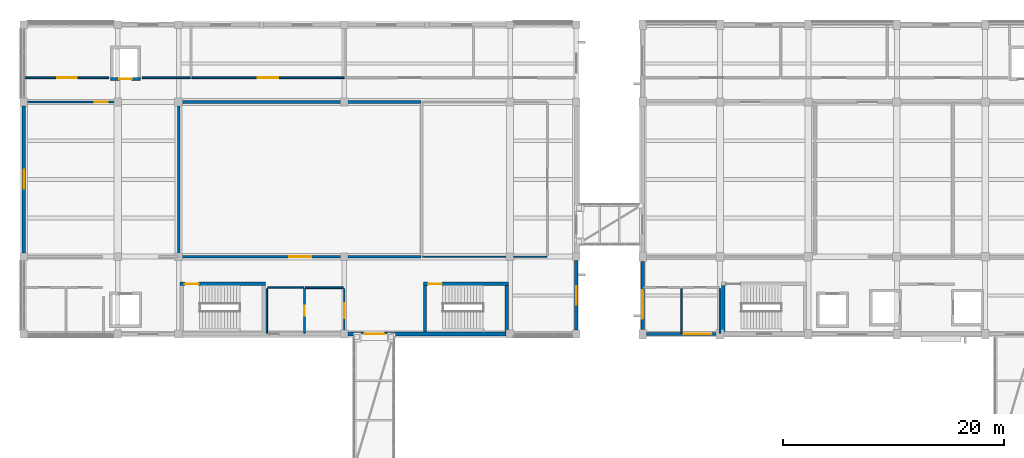
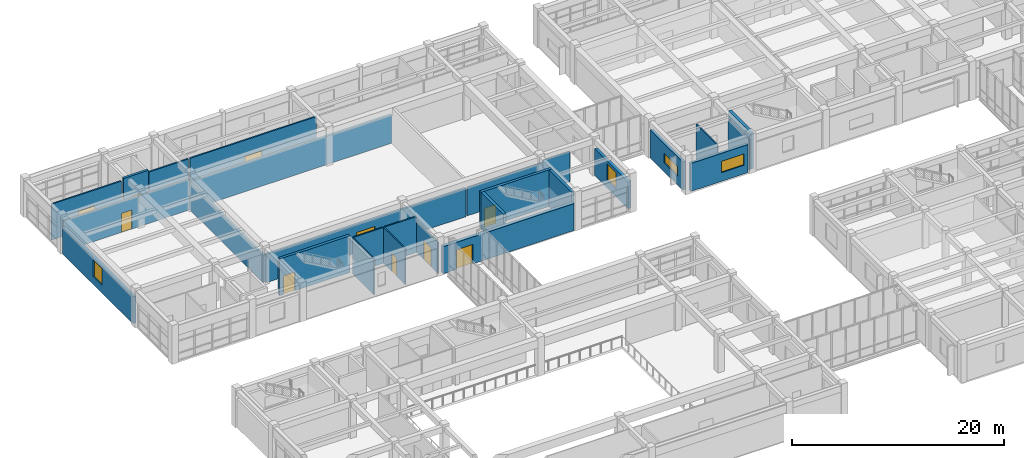
# One storey, part 47 of 70: 27 walls, 10 doors, 4 windows, 14 openings.
"""IFC4 building model written with IfcOpenShell, lengths in metres."""

from ifc_helpers import new_model, si_unit, direction, frame, frame_2d, origin, place, context, subcontext, project, spatial, rectangle, extrude, material, layer, layer_set, type_object, element, fill, save


model = new_model("IFC4")

# Units and contexts
model_context = context("Model", 3, precision=1e-05, world=origin(), true_north=direction((0.0, 1.0)))
body_context = subcontext(model_context, "Body", "Model", "MODEL_VIEW")
ifc_project = project(units=[si_unit("LENGTHUNIT", "METRE"), si_unit("AREAUNIT", "SQUARE_METRE"), si_unit("VOLUMEUNIT", "CUBIC_METRE"), si_unit("PLANEANGLEUNIT", "RADIAN"), si_unit("MASSUNIT", "GRAM", prefix="KILO")], contexts=[model_context])

# Site, building, storey
site_placement = place(None, origin())
site = spatial("IfcSite", under=ifc_project, at=site_placement, CompositionType="ELEMENT")
building_placement = place(site_placement, origin())
building = spatial("IfcBuilding", under=site, at=building_placement, Name="Naurynzar Civic Courthouse", CompositionType="ELEMENT")
storey_placement = place(building_placement, frame((0.0, 0.0, 5.39990234375)))
storey = spatial("IfcBuildingStorey", under=building, at=storey_placement, Name="L02", CompositionType="ELEMENT", Elevation=5.39990234375)

# Wall, opening, door
ifc_material_1 = material(Name="Acoustic Double-Stud Gypsum Partition")
ifc_layer_1 = layer(ifc_material_1, 0.235107421875)
ifc_layer_set_1 = layer_set([ifc_layer_1], Name="WL-ACOUSTIC-235")
wall_type_1 = type_object("IfcWallType", Name="WL-ACOUSTIC-235", PredefinedType="PARTITIONING", material=ifc_layer_set_1)
wall_1_placement = place(storey_placement, frame((20.080078125, 51.0, 0.0), z_axis=(0.0, 0.0, 1.0), x_axis=(1.0, 0.0, 0.0)))
wall_1 = element("IfcWall", 1, at=wall_1_placement, inside=storey, type_object=wall_type_1, Name="V1 interior partition L02.224", PredefinedType="PARTITIONING", context=body_context, shape_type="SweptSolid", body=[
    extrude(rectangle(XDim=21.83984375, YDim=0.235107421875, at=frame_2d((10.919921875, 0.0))), origin(), (0.0, 0.0, 1.0), 3.280029296875),
])
opening_1_placement = place(wall_1_placement, frame((9.919921875, 0.0, 0.0)))
opening_1 = element("IfcOpeningElement", 2, at=opening_1_placement, cuts=wall_1, Name="Opening D-022", PredefinedType="OPENING", context=body_context, shape_type="SweptSolid", body=[
    extrude(rectangle(XDim=2.0, YDim=2.35009765625, at=frame_2d((1.0, 1.175048828125))), frame((0.0, 0.12744140625, 0.0), z_axis=(0.0, -1.0, 0.0), x_axis=(1.0, 0.0, 0.0)), (0.0, 0.0, 1.0), 0.255126953125),
])
ifc_material_2 = material(Name="Acoustic Oak Timber Grade A", Category="wood")
door_type_1 = type_object("IfcDoorType", Name="DR-COURT-DBL-2000x2350", OperationType="DOUBLE_DOOR_SINGLE_SWING", PredefinedType="DOOR", material=ifc_material_2)
door_1_placement = place(opening_1_placement, origin())
door_1 = element("IfcDoor", 3, at=door_1_placement, inside=storey, type_object=door_type_1, Name="Interior door D-022 (Ceremonial Court)", OperationType="DOUBLE_DOOR_SINGLE_SWING", OverallHeight=2.35009765625, OverallWidth=2.0, PredefinedType="DOOR", context=body_context, shape_type="SweptSolid", body=[
    extrude(rectangle(XDim=2.0, YDim=2.35009765625, at=frame_2d((1.0, 1.175048828125))), frame((0.0, 0.02490234375, 0.0), z_axis=(0.0, -1.0, 0.0), x_axis=(1.0, 0.0, 0.0)), (0.0, 0.0, 1.0), 0.050048828125),
])
fill(opening_1, door_1)

# Walls
wall_2_placement = place(storey_placement, frame((20.080078125, 65.0, 0.0), z_axis=(0.0, 0.0, 1.0), x_axis=(1.0, 0.0, 0.0)))
element("IfcWall", 4, at=wall_2_placement, inside=storey, type_object=wall_type_1, Name="V1 interior partition L02.235", PredefinedType="PARTITIONING", context=body_context, shape_type="SweptSolid", body=[
    extrude(rectangle(XDim=21.83984375, YDim=0.235107421875, at=frame_2d((10.919921875, 0.0))), origin(), (0.0, 0.0, 1.0), 3.280029296875),
])
wall_3_placement = place(storey_placement, frame((20.0, 51.080078125, 0.0), z_axis=(0.0, 0.0, 1.0), x_axis=(0.0, 1.0, 0.0)))
element("IfcWall", 5, at=wall_3_placement, inside=storey, type_object=wall_type_1, Name="V1 interior partition L02.258", PredefinedType="PARTITIONING", context=body_context, shape_type="SweptSolid", body=[
    extrude(rectangle(XDim=13.83984375, YDim=0.235107421875, at=frame_2d((6.919921875, 0.0))), origin(), (0.0, 0.0, 1.0), 3.130126953125),
])

# Wall, opening, door
ifc_material_3 = material(Name="Concrete C40/50", Category="concrete")
ifc_layer_2 = layer(ifc_material_3, 0.300048828125)
ifc_layer_set_2 = layer_set([ifc_layer_2], Name="WL-CORE-300")
wall_type_2 = type_object("IfcWallType", Name="WL-CORE-300", PredefinedType="SHEAR", material=ifc_layer_set_2)
wall_4_placement = place(storey_placement, frame((27.85009765625, 48.550048828125, 0.0), z_axis=(0.0, 0.0, 1.0), x_axis=(-1.0, 0.0, 0.0)))
wall_4 = element("IfcWall", 6, at=wall_4_placement, inside=storey, type_object=wall_type_2, Name="Stair ST-V1A enclosure wall north L02", PredefinedType="SHEAR", context=body_context, shape_type="SweptSolid", body=[
    extrude(rectangle(XDim=7.7001953125, YDim=0.300048828125, at=frame_2d((3.85009765625, 0.0))), origin(), (0.0, 0.0, 1.0), 4.239990234375),
])
opening_2_placement = place(wall_4_placement, frame((6.02490234375, 0.0, 0.0)))
opening_2 = element("IfcOpeningElement", 7, at=opening_2_placement, cuts=wall_4, Name="Opening SD-003", PredefinedType="OPENING", context=body_context, shape_type="SweptSolid", body=[
    extrude(rectangle(XDim=1.25, YDim=2.14990234375, at=frame_2d((0.625, 1.074951171875))), frame((0.0, 0.159912109375, 0.0), z_axis=(0.0, -1.0, 0.0), x_axis=(1.0, 0.0, 0.0)), (0.0, 0.0, 1.0), 0.320068359375),
])
ifc_material_4 = material(Name="Powder-Coated Galvanised Steel", Category="steel")
door_type_2 = type_object("IfcDoorType", Name="DR-STAIR-1250x2150", OperationType="NOTDEFINED", PredefinedType="DOOR", material=ifc_material_4)
door_2_placement = place(opening_2_placement, origin())
door_2 = element("IfcDoor", 8, at=door_2_placement, inside=storey, type_object=door_type_2, Name="Stair ST-V1A fire door L02", OperationType="SINGLE_SWING_LEFT", OverallHeight=2.14990234375, OverallWidth=1.25, PredefinedType="DOOR", context=body_context, shape_type="SweptSolid", body=[
    extrude(rectangle(XDim=1.25, YDim=2.14990234375, at=frame_2d((0.625, 1.074951171875))), frame((0.0, 0.02490234375, 0.0), z_axis=(0.0, -1.0, 0.0), x_axis=(1.0, 0.0, 0.0)), (0.0, 0.0, 1.0), 0.050048828125),
])
fill(opening_2, door_2)

wall_5_placement = place(storey_placement, frame((49.85009765625, 48.550048828125, 0.0), z_axis=(0.0, 0.0, 1.0), x_axis=(-1.0, 0.0, 0.0)))
wall_5 = element("IfcWall", 9, at=wall_5_placement, inside=storey, type_object=wall_type_2, Name="Stair ST-V1B enclosure wall north L02", PredefinedType="SHEAR", context=body_context, shape_type="SweptSolid", body=[
    extrude(rectangle(XDim=7.7001953125, YDim=0.300048828125, at=frame_2d((3.85009765625, 0.0))), origin(), (0.0, 0.0, 1.0), 4.239990234375),
])
opening_3_placement = place(wall_5_placement, frame((6.02490234375, 0.0, 0.0)))
opening_3 = element("IfcOpeningElement", 10, at=opening_3_placement, cuts=wall_5, Name="Opening SD-008", PredefinedType="OPENING", context=body_context, shape_type="SweptSolid", body=[
    extrude(rectangle(XDim=1.25, YDim=2.14990234375, at=frame_2d((0.625, 1.074951171875))), frame((0.0, 0.159912109375, 0.0), z_axis=(0.0, -1.0, 0.0), x_axis=(1.0, 0.0, 0.0)), (0.0, 0.0, 1.0), 0.320068359375),
])
door_3_placement = place(opening_3_placement, origin())
door_3 = element("IfcDoor", 11, at=door_3_placement, inside=storey, type_object=door_type_2, Name="Stair ST-V1B fire door L02", OperationType="SINGLE_SWING_RIGHT", OverallHeight=2.14990234375, OverallWidth=1.25, PredefinedType="DOOR", context=body_context, shape_type="SweptSolid", body=[
    extrude(rectangle(XDim=1.25, YDim=2.14990234375, at=frame_2d((0.625, 1.074951171875))), frame((0.0, 0.02490234375, 0.0), z_axis=(0.0, -1.0, 0.0), x_axis=(1.0, 0.0, 0.0)), (0.0, 0.0, 1.0), 0.050048828125),
])
fill(opening_3, door_3)

# Walls
for number, where, z_axis, x_axis, name in (
    (12, (42.300048828125, 48.39501953125, 0.0), (0.0, 0.0, 1.0), (0.0, -1.0, 0.0), "Stair ST-V1B enclosure wall west L02"),
    (13, (49.699951171875, 44.195068359375, 0.0), (0.0, 0.0, 1.0), (0.0, 1.0, 0.0), "Stair ST-V1B enclosure wall east L02"),
):
    element("IfcWall", number, at=place(storey_placement, frame(where, z_axis=z_axis, x_axis=x_axis)), inside=storey, type_object=wall_type_2, Name=name, PredefinedType="SHEAR", context=body_context, shape_type="SweptSolid", body=[
        extrude(rectangle(XDim=4.199951171875, YDim=0.300048828125, at=frame_2d((2.10009765625, 0.0))), origin(), (0.0, 0.0, 1.0), 4.239990234375),
    ])
wall_6_placement = place(storey_placement, frame((69.300048828125, 48.39501953125, 0.0), z_axis=(0.0, 0.0, 1.0), x_axis=(0.0, -1.0, 0.0)))
element("IfcWall", 14, at=wall_6_placement, inside=storey, type_object=wall_type_2, Name="Stair ST-V2A enclosure wall west L02", PredefinedType="SHEAR", context=body_context, shape_type="SweptSolid", body=[
    extrude(rectangle(XDim=4.199951171875, YDim=0.300048828125, at=frame_2d((2.10009765625, 0.0))), origin(), (0.0, 0.0, 1.0), 4.2001953125),
])

# Wall, opening, window
ifc_material_5 = material(Name="Precast concrete C40/50", Category="concrete")
ifc_layer_3 = layer(ifc_material_5, 0.300048828125)
ifc_layer_set_3 = layer_set([ifc_layer_3], Name="WL-EXT-300")
wall_type_3 = type_object("IfcWallType", Name="WL-EXT-300", PredefinedType="SOLIDWALL", material=ifc_layer_set_3)
wall_7_placement = place(storey_placement, frame((62.0, 44.425048828125, 0.0), z_axis=(0.0, 0.0, 1.0), x_axis=(0.0, 1.0, 0.0)))
wall_7 = element("IfcWall", 15, at=wall_7_placement, inside=storey, type_object=wall_type_3, Name="V2 exterior wall west L02.1.1", PredefinedType="SOLIDWALL", context=body_context, shape_type="SweptSolid", body=[
    extrude(rectangle(XDim=6.14990234375, YDim=0.300048828125, at=frame_2d((3.074951171875, 0.0))), origin(), (0.0, 0.0, 1.0), 3.22998046875),
])
opening_4_placement = place(wall_7_placement, frame((0.955078125, 0.0, 1.0)))
opening_4 = element("IfcOpeningElement", 16, at=opening_4_placement, cuts=wall_7, Name="Opening WN-17", PredefinedType="OPENING", context=body_context, shape_type="SweptSolid", body=[
    extrude(rectangle(XDim=2.60009765625, YDim=1.10009765625, at=frame_2d((1.300048828125, 0.550048828125))), frame((0.0, 0.159912109375, 0.0), z_axis=(0.0, -1.0, 0.0), x_axis=(1.0, 0.0, 0.0)), (0.0, 0.0, 1.0), 0.320068359375),
])
ifc_material_6 = material(Name="Tempered Laminated Low-E Glass", Category="glass")
window_type_1 = type_object("IfcWindowType", Name="WIN-CLER-2600x1100", PartitioningType="DOUBLE_PANEL_VERTICAL", PredefinedType="WINDOW", material=ifc_material_6)
window_1_placement = place(opening_4_placement, origin())
window_1 = element("IfcWindow", 17, at=window_1_placement, inside=storey, type_object=window_type_1, Name="V2 window 51 L02", OverallHeight=1.10009765625, OverallWidth=2.60009765625, PartitioningType="SINGLE_PANEL", PredefinedType="WINDOW", context=body_context, shape_type="SweptSolid", body=[
    extrude(rectangle(XDim=2.60009765625, YDim=1.10009765625, at=frame_2d((1.300048828125, 0.550048828125))), frame((0.0, 0.030029296875, 0.0), z_axis=(0.0, -1.0, 0.0), x_axis=(1.0, 0.0, 0.0)), (0.0, 0.0, 1.0), 0.06005859375),
])
fill(opening_4, window_1)

wall_8_placement = place(storey_placement, frame((68.64990234375, 44.0, 0.0), z_axis=(0.0, 0.0, 1.0), x_axis=(-1.0, 0.0, 0.0)))
wall_8 = element("IfcWall", 18, at=wall_8_placement, inside=storey, type_object=wall_type_3, Name="V2 exterior wall south L02.8.1", PredefinedType="SOLIDWALL", context=body_context, shape_type="SweptSolid", body=[
    extrude(rectangle(XDim=6.2998046875, YDim=0.300048828125, at=frame_2d((3.14990234375, 0.0))), origin(), (0.0, 0.0, 1.0), 3.22998046875),
])
opening_5_placement = place(wall_8_placement, frame((0.425048828125, 0.0, 1.0)))
opening_5 = element("IfcOpeningElement", 19, at=opening_5_placement, cuts=wall_8, Name="Opening WM-21", PredefinedType="OPENING", context=body_context, shape_type="SweptSolid", body=[
    extrude(rectangle(XDim=2.5, YDim=1.300048828125, at=frame_2d((1.25, 0.64990234375))), frame((0.0, 0.159912109375, 0.0), z_axis=(0.0, -1.0, 0.0), x_axis=(1.0, 0.0, 0.0)), (0.0, 0.0, 1.0), 0.320068359375),
])
ifc_material_7 = material(Name="Tempered Laminated Low-E Glass", Category="glass")
window_type_2 = type_object("IfcWindowType", Name="WIN-MOD-2500x1300", PartitioningType="DOUBLE_PANEL_VERTICAL", PredefinedType="WINDOW", material=ifc_material_7)
window_2_placement = place(opening_5_placement, origin())
window_2 = element("IfcWindow", 20, at=window_2_placement, inside=storey, type_object=window_type_2, Name="V2 window 61 L02", OverallHeight=1.300048828125, OverallWidth=2.5, PartitioningType="SINGLE_PANEL", PredefinedType="WINDOW", context=body_context, shape_type="SweptSolid", body=[
    extrude(rectangle(XDim=2.5, YDim=1.300048828125, at=frame_2d((1.25, 0.64990234375))), frame((0.0, 0.030029296875, 0.0), z_axis=(0.0, -1.0, 0.0), x_axis=(1.0, 0.0, 0.0)), (0.0, 0.0, 1.0), 0.06005859375),
])
fill(opening_5, window_2)

ifc_material_8 = material(Name="Precast concrete C40/50", Category="concrete")
ifc_layer_4 = layer(ifc_material_8, 0.320068359375)
ifc_layer_set_4 = layer_set([ifc_layer_4], Name="WL-EXT-320")
wall_type_4 = type_object("IfcWallType", Name="WL-EXT-320", PredefinedType="SOLIDWALL", material=ifc_layer_set_4)
wall_9_placement = place(storey_placement, frame((6.0, 51.35009765625, 0.0), z_axis=(0.0, 0.0, 1.0), x_axis=(0.0, 1.0, 0.0)))
wall_9 = element("IfcWall", 21, at=wall_9_placement, inside=storey, type_object=wall_type_4, Name="V1 exterior wall west L02.2.1", PredefinedType="SOLIDWALL", context=body_context, shape_type="SweptSolid", body=[
    extrude(rectangle(XDim=13.2998046875, YDim=0.320068359375, at=frame_2d((6.64990234375, 0.0))), origin(), (0.0, 0.0, 1.0), 3.110107421875),
])
opening_6_placement = place(wall_9_placement, frame((5.800048828125, 0.0, 0.89990234375)))
opening_6 = element("IfcOpeningElement", 22, at=opening_6_placement, cuts=wall_9, Name="Opening WN-14", PredefinedType="OPENING", context=body_context, shape_type="SweptSolid", body=[
    extrude(rectangle(XDim=1.699951171875, YDim=1.89990234375, at=frame_2d((0.85009765625, 0.949951171875))), frame((0.0, 0.169921875, 0.0), z_axis=(0.0, -1.0, 0.0), x_axis=(1.0, 0.0, 0.0)), (0.0, 0.0, 1.0), 0.340087890625),
])
ifc_material_9 = material(Name="Tempered Laminated Low-E Glass", Category="glass")
window_type_3 = type_object("IfcWindowType", Name="WIN-REG-1700x1900", PartitioningType="DOUBLE_PANEL_VERTICAL", PredefinedType="WINDOW", material=ifc_material_9)
window_3_placement = place(opening_6_placement, origin())
window_3 = element("IfcWindow", 23, at=window_3_placement, inside=storey, type_object=window_type_3, Name="V1 window 12 L02", OverallHeight=1.89990234375, OverallWidth=1.699951171875, PartitioningType="SINGLE_PANEL", PredefinedType="WINDOW", context=body_context, shape_type="SweptSolid", body=[
    extrude(rectangle(XDim=1.699951171875, YDim=1.89990234375, at=frame_2d((0.85009765625, 0.949951171875))), frame((0.0, 0.030029296875, 0.0), z_axis=(0.0, -1.0, 0.0), x_axis=(1.0, 0.0, 0.0)), (0.0, 0.0, 1.0), 0.06005859375),
])
fill(opening_6, window_3)

wall_10_placement = place(storey_placement, frame((56.0, 50.64990234375, 0.0), z_axis=(0.0, 0.0, 1.0), x_axis=(0.0, -1.0, 0.0)))
wall_10 = element("IfcWall", 24, at=wall_10_placement, inside=storey, type_object=wall_type_4, Name="V1 exterior wall east L02.3.1", PredefinedType="SOLIDWALL", context=body_context, shape_type="SweptSolid", body=[
    extrude(rectangle(XDim=6.2998046875, YDim=0.320068359375, at=frame_2d((3.14990234375, 0.0))), origin(), (0.0, 0.0, 1.0), 3.110107421875),
])
opening_7_placement = place(wall_10_placement, frame((2.300048828125, 0.0, 0.89990234375)))
opening_7 = element("IfcOpeningElement", 25, at=opening_7_placement, cuts=wall_10, Name="Opening WN-14", PredefinedType="OPENING", context=body_context, shape_type="SweptSolid", body=[
    extrude(rectangle(XDim=1.699951171875, YDim=1.89990234375, at=frame_2d((0.85009765625, 0.949951171875))), frame((0.0, 0.169921875, 0.0), z_axis=(0.0, -1.0, 0.0), x_axis=(1.0, 0.0, 0.0)), (0.0, 0.0, 1.0), 0.340087890625),
])
window_4_placement = place(opening_7_placement, origin())
window_4 = element("IfcWindow", 26, at=window_4_placement, inside=storey, type_object=window_type_3, Name="V1 window 19 L02", OverallHeight=1.89990234375, OverallWidth=1.699951171875, PartitioningType="SINGLE_PANEL", PredefinedType="WINDOW", context=body_context, shape_type="SweptSolid", body=[
    extrude(rectangle(XDim=1.699951171875, YDim=1.89990234375, at=frame_2d((0.85009765625, 0.949951171875))), frame((0.0, 0.030029296875, 0.0), z_axis=(0.0, -1.0, 0.0), x_axis=(1.0, 0.0, 0.0)), (0.0, 0.0, 1.0), 0.06005859375),
])
fill(opening_7, window_4)

# Wall, opening, door
ifc_material_10 = material(Name="Insulated Metal-Stud Gypsum Partition")
ifc_layer_5 = layer(ifc_material_10, 0.159912109375)
ifc_layer_set_5 = layer_set([ifc_layer_5], Name="WL-PART-CHAMB-160")
wall_type_5 = type_object("IfcWallType", Name="WL-PART-CHAMB-160", PredefinedType="PARTITIONING", material=ifc_layer_set_5)
wall_11_placement = place(storey_placement, frame((6.080078125, 67.199951171875, 0.0), z_axis=(0.0, 0.0, 1.0), x_axis=(1.0, 0.0, 0.0)))
wall_11 = element("IfcWall", 27, at=wall_11_placement, inside=storey, type_object=wall_type_5, Name="V1 interior partition L02.244", PredefinedType="PARTITIONING", context=body_context, shape_type="SweptSolid", body=[
    extrude(rectangle(XDim=7.619873046875, YDim=0.159912109375, at=frame_2d((3.81005859375, 0.0))), origin(), (0.0, 0.0, 1.0), 4.14013671875),
])
opening_8_placement = place(wall_11_placement, frame((2.93505859375, 0.0, 0.0)))
opening_8 = element("IfcOpeningElement", 28, at=opening_8_placement, cuts=wall_11, Name="Opening D-025", PredefinedType="OPENING", context=body_context, shape_type="SweptSolid", body=[
    extrude(rectangle(XDim=1.75, YDim=2.300048828125, at=frame_2d((0.875, 1.14990234375))), frame((0.0, 0.08984375, 0.0), z_axis=(0.0, -1.0, 0.0), x_axis=(1.0, 0.0, 0.0)), (0.0, 0.0, 1.0), 0.179931640625),
])
ifc_material_11 = material(Name="Acoustic Oak Timber Grade A", Category="wood")
door_type_3 = type_object("IfcDoorType", Name="DR-SUITE-1750x2300", OperationType="DOUBLE_DOOR_SINGLE_SWING", PredefinedType="DOOR", material=ifc_material_11)
door_4_placement = place(opening_8_placement, origin())
door_4 = element("IfcDoor", 29, at=door_4_placement, inside=storey, type_object=door_type_3, Name="Interior door D-025 (Presiding Judges' Chambers)", OperationType="DOUBLE_DOOR_SINGLE_SWING", OverallHeight=2.300048828125, OverallWidth=1.75, PredefinedType="DOOR", context=body_context, shape_type="SweptSolid", body=[
    extrude(rectangle(XDim=1.75, YDim=2.300048828125, at=frame_2d((0.875, 1.14990234375))), frame((0.0, 0.02490234375, 0.0), z_axis=(0.0, -1.0, 0.0), x_axis=(1.0, 0.0, 0.0)), (0.0, 0.0, 1.0), 0.050048828125),
])
fill(opening_8, door_4)

# Wall
wall_12_placement = place(storey_placement, frame((16.699951171875, 67.199951171875, 0.0), z_axis=(0.0, 0.0, 1.0), x_axis=(1.0, 0.0, 0.0)))
element("IfcWall", 30, at=wall_12_placement, inside=storey, type_object=wall_type_5, Name="V1 interior partition L02.245", PredefinedType="PARTITIONING", context=body_context, shape_type="SweptSolid", body=[
    extrude(rectangle(XDim=4.340087890625, YDim=0.159912109375, at=frame_2d((2.169921875, 0.0))), origin(), (0.0, 0.0, 1.0), 4.14013671875),
])

# Wall, opening, door
wall_13_placement = place(storey_placement, frame((21.199951171875, 67.199951171875, 0.0), z_axis=(0.0, 0.0, 1.0), x_axis=(1.0, 0.0, 0.0)))
wall_13 = element("IfcWall", 31, at=wall_13_placement, inside=storey, type_object=wall_type_5, Name="V1 interior partition L02.246", PredefinedType="PARTITIONING", context=body_context, shape_type="SweptSolid", body=[
    extrude(rectangle(XDim=13.7900390625, YDim=0.159912109375, at=frame_2d((6.89501953125, 0.0))), origin(), (0.0, 0.0, 1.0), 4.14013671875),
])
opening_9_placement = place(wall_13_placement, frame((5.969970703125, 0.0, 0.0)))
opening_9 = element("IfcOpeningElement", 32, at=opening_9_placement, cuts=wall_13, Name="Opening D-026", PredefinedType="OPENING", context=body_context, shape_type="SweptSolid", body=[
    extrude(rectangle(XDim=1.85009765625, YDim=2.300048828125, at=frame_2d((0.925048828125, 1.14990234375))), frame((0.0, 0.08984375, 0.0), z_axis=(0.0, -1.0, 0.0), x_axis=(1.0, 0.0, 0.0)), (0.0, 0.0, 1.0), 0.179931640625),
])
ifc_material_12 = material(Name="Acoustic Oak Timber Grade A", Category="wood")
door_type_4 = type_object("IfcDoorType", Name="DR-SUITE-1850x2300", OperationType="DOUBLE_DOOR_SINGLE_SWING", PredefinedType="DOOR", material=ifc_material_12)
door_5_placement = place(opening_9_placement, origin())
door_5 = element("IfcDoor", 33, at=door_5_placement, inside=storey, type_object=door_type_4, Name="Interior door D-026 (Associate Judges' Chambers)", OperationType="DOUBLE_DOOR_SINGLE_SWING", OverallHeight=2.300048828125, OverallWidth=1.85009765625, PredefinedType="DOOR", context=body_context, shape_type="SweptSolid", body=[
    extrude(rectangle(XDim=1.85009765625, YDim=2.300048828125, at=frame_2d((0.925048828125, 1.14990234375))), frame((0.0, 0.02490234375, 0.0), z_axis=(0.0, -1.0, 0.0), x_axis=(1.0, 0.0, 0.0)), (0.0, 0.0, 1.0), 0.050048828125),
])
fill(opening_9, door_5)

# Wall
ifc_material_13 = material(Name="Fire-Rated Corridor Gypsum Partition")
ifc_layer_6 = layer(ifc_material_13, 0.14990234375)
ifc_layer_set_6 = layer_set([ifc_layer_6], Name="WL-PART-CORR-150")
wall_type_6 = type_object("IfcWallType", Name="WL-PART-CORR-150", PredefinedType="PARTITIONING", material=ifc_layer_set_6)
wall_14_placement = place(storey_placement, frame((31.47998046875, 48.199951171875, 0.0), z_axis=(0.0, 0.0, 1.0), x_axis=(1.0, 0.0, 0.0)))
element("IfcWall", 34, at=wall_14_placement, inside=storey, type_object=wall_type_6, Name="V1 interior partition L02.217", PredefinedType="PARTITIONING", context=body_context, shape_type="SweptSolid", body=[
    extrude(rectangle(XDim=3.43994140625, YDim=0.14990234375, at=frame_2d((1.719970703125, 0.0))), origin(), (0.0, 0.0, 1.0), 4.14013671875),
])

# Wall, opening, door
wall_15_placement = place(storey_placement, frame((31.39990234375, 44.080078125, 0.0), z_axis=(0.0, 0.0, 1.0), x_axis=(0.0, 1.0, 0.0)))
wall_15 = element("IfcWall", 35, at=wall_15_placement, inside=storey, type_object=wall_type_6, Name="V1 interior partition L02.264", PredefinedType="PARTITIONING", context=body_context, shape_type="SweptSolid", body=[
    extrude(rectangle(XDim=4.0400390625, YDim=0.14990234375, at=frame_2d((2.02001953125, 0.0))), origin(), (0.0, 0.0, 1.0), 4.14013671875),
])
opening_10_placement = place(wall_15_placement, frame((1.56005859375, 0.0, 0.0)))
opening_10 = element("IfcOpeningElement", 36, at=opening_10_placement, cuts=wall_15, Name="Opening D-020", PredefinedType="OPENING", context=body_context, shape_type="SweptSolid", body=[
    extrude(rectangle(XDim=0.919921875, YDim=2.10009765625, at=frame_2d((0.4599609375, 1.050048828125))), frame((0.0, 0.0849609375, 0.0), z_axis=(0.0, -1.0, 0.0), x_axis=(1.0, 0.0, 0.0)), (0.0, 0.0, 1.0), 0.169921875),
])
ifc_material_14 = material(Name="Acoustic Oak Timber Grade A", Category="wood")
door_type_5 = type_object("IfcDoorType", Name="DR-WC-STD-920x2100", OperationType="NOTDEFINED", PredefinedType="DOOR", material=ifc_material_14)
door_6_placement = place(opening_10_placement, origin())
door_6 = element("IfcDoor", 37, at=door_6_placement, inside=storey, type_object=door_type_5, Name="Interior door D-020 (Staff WC V1)", OperationType="SINGLE_SWING_RIGHT", OverallHeight=2.10009765625, OverallWidth=0.919921875, PredefinedType="DOOR", context=body_context, shape_type="SweptSolid", body=[
    extrude(rectangle(XDim=0.919921875, YDim=2.10009765625, at=frame_2d((0.4599609375, 1.050048828125))), frame((0.0, 0.02490234375, 0.0), z_axis=(0.0, -1.0, 0.0), x_axis=(1.0, 0.0, 0.0)), (0.0, 0.0, 1.0), 0.050048828125),
])
fill(opening_10, door_6)

wall_16_placement = place(storey_placement, frame((35.0, 44.080078125, 0.0), z_axis=(0.0, 0.0, 1.0), x_axis=(0.0, 1.0, 0.0)))
wall_16 = element("IfcWall", 38, at=wall_16_placement, inside=storey, type_object=wall_type_6, Name="V1 interior partition L02.265", PredefinedType="PARTITIONING", context=body_context, shape_type="SweptSolid", body=[
    extrude(rectangle(XDim=4.0400390625, YDim=0.14990234375, at=frame_2d((2.02001953125, 0.0))), origin(), (0.0, 0.0, 1.0), 3.580078125),
])
opening_11_placement = place(wall_16_placement, frame((1.340087890625, 0.0, 0.0)))
opening_11 = element("IfcOpeningElement", 39, at=opening_11_placement, cuts=wall_16, Name="Opening D-021", PredefinedType="OPENING", context=body_context, shape_type="SweptSolid", body=[
    extrude(rectangle(XDim=1.360107421875, YDim=2.199951171875, at=frame_2d((0.68017578125, 1.10009765625))), frame((0.0, 0.0849609375, 0.0), z_axis=(0.0, -1.0, 0.0), x_axis=(1.0, 0.0, 0.0)), (0.0, 0.0, 1.0), 0.169921875),
])
ifc_material_15 = material(Name="Acoustic Oak Timber Grade A", Category="wood")
door_type_6 = type_object("IfcDoorType", Name="DR-SUITE-1360x2200", OperationType="NOTDEFINED", PredefinedType="DOOR", material=ifc_material_15)
door_7_placement = place(opening_11_placement, origin())
door_7 = element("IfcDoor", 40, at=door_7_placement, inside=storey, type_object=door_type_6, Name="Interior door D-021 (Ceremonial Waiting Lounge)", OperationType="SINGLE_SWING_LEFT", OverallHeight=2.199951171875, OverallWidth=1.360107421875, PredefinedType="DOOR", context=body_context, shape_type="SweptSolid", body=[
    extrude(rectangle(XDim=1.360107421875, YDim=2.199951171875, at=frame_2d((0.68017578125, 1.10009765625))), frame((0.0, 0.02490234375, 0.0), z_axis=(0.0, -1.0, 0.0), x_axis=(1.0, 0.0, 0.0)), (0.0, 0.0, 1.0), 0.050048828125),
])
fill(opening_11, door_7)

ifc_material_16 = material(Name="Acoustic Double-Stud Gypsum Partition")
ifc_layer_7 = layer(ifc_material_16, 0.179931640625)
ifc_layer_set_7 = layer_set([ifc_layer_7], Name="WL-PART-JURY-180")
wall_type_7 = type_object("IfcWallType", Name="WL-PART-JURY-180", PredefinedType="PARTITIONING", material=ifc_layer_set_7)
wall_17_placement = place(storey_placement, frame((6.080078125, 65.0, 0.0), z_axis=(0.0, 0.0, 1.0), x_axis=(1.0, 0.0, 0.0)))
wall_17 = element("IfcWall", 41, at=wall_17_placement, inside=storey, type_object=wall_type_7, Name="V1 interior partition L02.234", PredefinedType="PARTITIONING", context=body_context, shape_type="SweptSolid", body=[
    extrude(rectangle(XDim=13.83984375, YDim=0.179931640625, at=frame_2d((6.919921875, 0.0))), origin(), (0.0, 0.0, 1.0), 3.530029296875),
])
opening_12_placement = place(wall_17_placement, frame((6.344970703125, 0.0, 0.0)))
opening_12 = element("IfcOpeningElement", 42, at=opening_12_placement, cuts=wall_17, Name="Opening D-023", PredefinedType="OPENING", context=body_context, shape_type="SweptSolid", body=[
    extrude(rectangle(XDim=1.14990234375, YDim=2.199951171875, at=frame_2d((0.574951171875, 1.10009765625))), frame((0.0, 0.099853515625, 0.0), z_axis=(0.0, -1.0, 0.0), x_axis=(1.0, 0.0, 0.0)), (0.0, 0.0, 1.0), 0.199951171875),
])
ifc_material_17 = material(Name="Acoustic Oak Timber Grade A", Category="wood")
door_type_7 = type_object("IfcDoorType", Name="DR-JURY-1150x2200", OperationType="NOTDEFINED", PredefinedType="DOOR", material=ifc_material_17)
door_8_placement = place(opening_12_placement, origin())
door_8 = element("IfcDoor", 43, at=door_8_placement, inside=storey, type_object=door_type_7, Name="Interior door D-023 (Ceremonial Jury Room)", OperationType="SINGLE_SWING_LEFT", OverallHeight=2.199951171875, OverallWidth=1.14990234375, PredefinedType="DOOR", context=body_context, shape_type="SweptSolid", body=[
    extrude(rectangle(XDim=1.14990234375, YDim=2.199951171875, at=frame_2d((0.574951171875, 1.10009765625))), frame((0.0, 0.02490234375, 0.0), z_axis=(0.0, -1.0, 0.0), x_axis=(1.0, 0.0, 0.0)), (0.0, 0.0, 1.0), 0.050048828125),
])
fill(opening_12, door_8)

# Walls
ifc_material_18 = material(Name="Metal-Stud Gypsum Partition")
ifc_layer_8 = layer(ifc_material_18, 0.125)
ifc_layer_set_8 = layer_set([ifc_layer_8], Name="WL-PART-STD-125")
wall_type_8 = type_object("IfcWallType", Name="WL-PART-STD-125", PredefinedType="PARTITIONING", material=ifc_layer_set_8)
wall_18_placement = place(storey_placement, frame((42.080078125, 51.0, 0.0), z_axis=(0.0, 0.0, 1.0), x_axis=(1.0, 0.0, 0.0)))
element("IfcWall", 44, at=wall_18_placement, inside=storey, type_object=wall_type_8, Name="V1 interior partition L02.225a", PredefinedType="PARTITIONING", context=body_context, shape_type="SweptSolid", body=[
    extrude(rectangle(XDim=8.27001953125, YDim=0.125, at=frame_2d((4.135009765625, 0.0))), origin(), (0.0, 0.0, 1.0), 3.280029296875),
])
wall_19_placement = place(storey_placement, frame((50.35009765625, 51.0, 0.0), z_axis=(0.0, 0.0, 1.0), x_axis=(1.0, 0.0, 0.0)))
element("IfcWall", 45, at=wall_19_placement, inside=storey, type_object=wall_type_8, Name="V1 interior partition L02.225ab", PredefinedType="PARTITIONING", context=body_context, shape_type="SweptSolid", body=[
    extrude(rectangle(XDim=2.969970703125, YDim=0.125, at=frame_2d((1.48486328125, 0.0))), origin(), (0.0, 0.0, 1.0), 3.530029296875),
])
ifc_material_19 = material(Name="Moisture-Resistant Plumbing Partition")
ifc_layer_9 = layer(ifc_material_19, 0.139892578125)
ifc_layer_set_9 = layer_set([ifc_layer_9], Name="WL-PART-WC-140")
wall_type_9 = type_object("IfcWallType", Name="WL-PART-WC-140", PredefinedType="PLUMBINGWALL", material=ifc_layer_set_9)
wall_20_placement = place(storey_placement, frame((28.080078125, 48.199951171875, 0.0), z_axis=(0.0, 0.0, 1.0), x_axis=(1.0, 0.0, 0.0)))
element("IfcWall", 46, at=wall_20_placement, inside=storey, type_object=wall_type_9, Name="V1 interior partition L02.216", PredefinedType="PLUMBINGWALL", context=body_context, shape_type="SweptSolid", body=[
    extrude(rectangle(XDim=3.239990234375, YDim=0.139892578125, at=frame_2d((1.6201171875, 0.0))), origin(), (0.0, 0.0, 1.0), 4.14013671875),
])
for number, where, z_axis, x_axis, name in (
    (47, (28.0, 44.080078125, 0.0), (0.0, 0.0, 1.0), (0.0, 1.0, 0.0), "V1 interior partition L02.263"),
    (48, (65.5, 44.080078125, 0.0), (0.0, 0.0, 1.0), (0.0, 1.0, 0.0), "V2 interior partition L02.272"),
):
    element("IfcWall", number, at=place(storey_placement, frame(where, z_axis=z_axis, x_axis=x_axis)), inside=storey, type_object=wall_type_9, Name=name, PredefinedType="PLUMBINGWALL", context=body_context, shape_type="SweptSolid", body=[
        extrude(rectangle(XDim=4.0400390625, YDim=0.139892578125, at=frame_2d((2.02001953125, 0.0))), origin(), (0.0, 0.0, 1.0), 4.14013671875),
    ])
wall_21_placement = place(storey_placement, frame((69.0, 44.080078125, 0.0), z_axis=(0.0, 0.0, 1.0), x_axis=(0.0, 1.0, 0.0)))
element("IfcWall", 49, at=wall_21_placement, inside=storey, type_object=wall_type_9, Name="V2 interior partition L02.273", PredefinedType="PLUMBINGWALL", context=body_context, shape_type="SweptSolid", body=[
    extrude(rectangle(XDim=4.0400390625, YDim=0.139892578125, at=frame_2d((2.02001953125, 0.0))), origin(), (0.0, 0.0, 1.0), 3.5),
])

# Wall, opening, door
ifc_material_20 = material(Name="Concrete C40/50", Category="concrete")
ifc_layer_10 = layer(ifc_material_20, 0.3798828125)
ifc_layer_set_10 = layer_set([ifc_layer_10], Name="WL-RET-380")
wall_type_10 = type_object("IfcWallType", Name="WL-RET-380", PredefinedType="STANDARD", material=ifc_layer_set_10)
wall_22_placement = place(storey_placement, frame((49.64990234375, 44.0, 0.0), z_axis=(0.0, 0.0, 1.0), x_axis=(-1.0, 0.0, 0.0)))
wall_22 = element("IfcWall", 50, at=wall_22_placement, inside=storey, type_object=wall_type_10, Name="V1 exterior wall south L02.2.1", PredefinedType="STANDARD", context=body_context, shape_type="SweptSolid", body=[
    extrude(rectangle(XDim=14.2998046875, YDim=0.3798828125, at=frame_2d((7.14990234375, 0.0))), origin(), (0.0, 0.0, 1.0), 3.110107421875),
])
opening_13_placement = place(wall_22_placement, frame((11.050048828125, 0.0, 0.0)))
opening_13 = element("IfcOpeningElement", 51, at=opening_13_placement, cuts=wall_22, Name="Opening BD-03", PredefinedType="OPENING", context=body_context, shape_type="SweptSolid", body=[
    extrude(rectangle(XDim=1.800048828125, YDim=2.25, at=frame_2d((0.89990234375, 1.125))), frame((0.0, 0.199951171875, 0.0), z_axis=(0.0, -1.0, 0.0), x_axis=(1.0, 0.0, 0.0)), (0.0, 0.0, 1.0), 0.39990234375),
])
ifc_material_21 = material(Name="Aluminium 6063-T6", Category="aluminium")
door_type_8 = type_object("IfcDoorType", Name="DR-BRG-1800x2250", OperationType="DOUBLE_DOOR_SINGLE_SWING", PredefinedType="DOOR", material=ifc_material_21)
door_9_placement = place(opening_13_placement, origin())
door_9 = element("IfcDoor", 52, at=door_9_placement, inside=storey, type_object=door_type_8, Name="Seismic bridge fire door BD-03", OperationType="DOUBLE_DOOR_SINGLE_SWING", OverallHeight=2.25, OverallWidth=1.800048828125, PredefinedType="DOOR", context=body_context, shape_type="SweptSolid", body=[
    extrude(rectangle(XDim=1.800048828125, YDim=2.25, at=frame_2d((0.89990234375, 1.125))), frame((0.0, 0.02490234375, 0.0), z_axis=(0.0, -1.0, 0.0), x_axis=(1.0, 0.0, 0.0)), (0.0, 0.0, 1.0), 0.050048828125),
])
fill(opening_13, door_9)

ifc_material_22 = material(Name="Concrete C40/50", Category="concrete")
ifc_layer_11 = layer(ifc_material_22, 0.25)
ifc_layer_set_11 = layer_set([ifc_layer_11], Name="WL-SHAFT-250")
wall_type_11 = type_object("IfcWallType", Name="WL-SHAFT-250", PredefinedType="SHEAR", material=ifc_layer_set_11)
wall_23_placement = place(storey_placement, frame((13.85009765625, 67.074951171875, 0.0), z_axis=(0.0, 0.0, 1.0), x_axis=(1.0, 0.0, 0.0)))
wall_23 = element("IfcWall", 53, at=wall_23_placement, inside=storey, type_object=wall_type_11, Name="Lift LJ-01 shaft wall south L02", PredefinedType="SHEAR", context=body_context, shape_type="SweptSolid", body=[
    extrude(rectangle(XDim=2.699951171875, YDim=0.25, at=frame_2d((1.35009765625, 0.0))), origin(), (0.0, 0.0, 1.0), 4.5),
])
opening_14_placement = place(wall_23_placement, frame((0.800048828125, 0.0, 0.0)))
opening_14 = element("IfcOpeningElement", 54, at=opening_14_placement, cuts=wall_23, Name="Opening LD-008", PredefinedType="OPENING", context=body_context, shape_type="SweptSolid", body=[
    extrude(rectangle(XDim=1.10009765625, YDim=2.14990234375, at=frame_2d((0.550048828125, 1.074951171875))), frame((0.0, 0.135009765625, 0.0), z_axis=(0.0, -1.0, 0.0), x_axis=(1.0, 0.0, 0.0)), (0.0, 0.0, 1.0), 0.27001953125),
])
ifc_material_23 = material(Name="Brushed Stainless Steel 304", Category="steel")
door_type_9 = type_object("IfcDoorType", Name="DR-LIFT-SLIDE-1100x2150", OperationType="DOUBLE_DOOR_SLIDING", PredefinedType="DOOR", material=ifc_material_23)
door_10_placement = place(opening_14_placement, origin())
door_10 = element("IfcDoor", 55, at=door_10_placement, inside=storey, type_object=door_type_9, Name="Lift LJ-01 sliding landing door L02", OperationType="DOUBLE_DOOR_SLIDING", OverallHeight=2.14990234375, OverallWidth=1.10009765625, PredefinedType="DOOR", context=body_context, shape_type="SweptSolid", body=[
    extrude(rectangle(XDim=1.10009765625, YDim=2.14990234375, at=frame_2d((0.550048828125, 1.074951171875))), frame((0.0, 0.02490234375, 0.0), z_axis=(0.0, -1.0, 0.0), x_axis=(1.0, 0.0, 0.0)), (0.0, 0.0, 1.0), 0.050048828125),
])
fill(opening_14, door_10)

save(model, "model.ifc")
